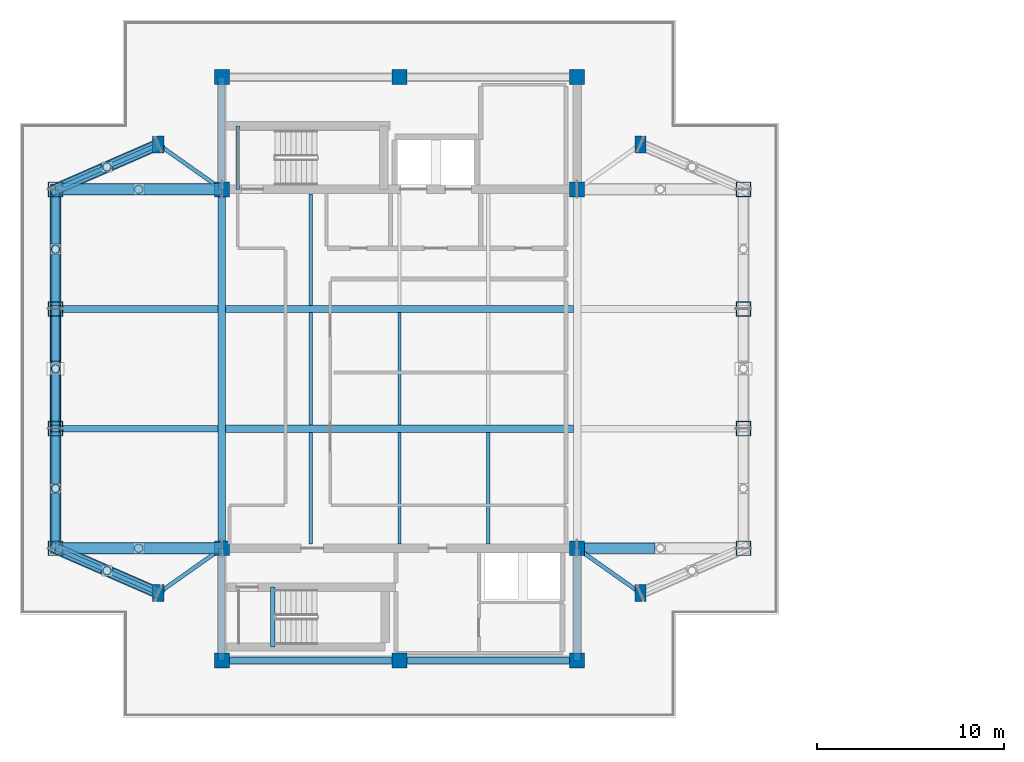
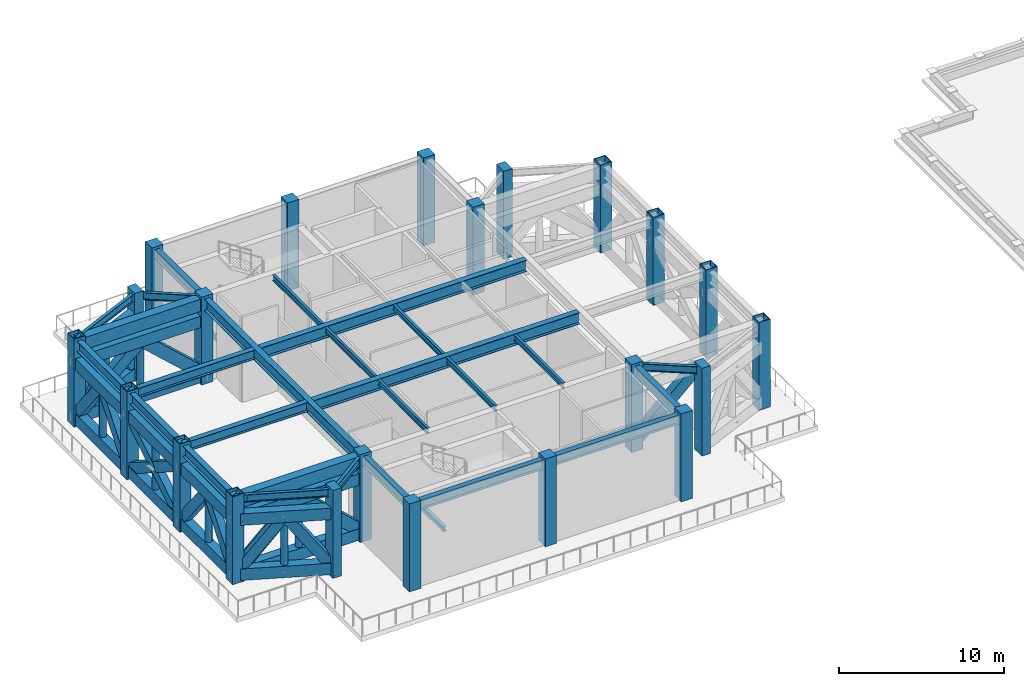
# One storey, part 1 of 11: 37 members, 28 beams, 22 columns.
"""IFC4 building model written with IfcOpenShell, lengths in metres."""

from ifc_helpers import new_model, si_unit, direction, frame, origin, origin_2d, place, context, subcontext, project, spatial, rectangle, hollow_rectangle, hollow_circle, i_section, extrude, material, material_profile, profile_set, type_object, element, save


model = new_model("IFC4")

# Units and contexts
model_context = context("Model", 3, precision=1e-05, world=origin(), true_north=direction((0.0, 1.0)))
body_context = subcontext(model_context, "Body", "Model", "MODEL_VIEW")
ifc_project = project(units=[si_unit("LENGTHUNIT", "METRE"), si_unit("AREAUNIT", "SQUARE_METRE"), si_unit("VOLUMEUNIT", "CUBIC_METRE"), si_unit("PLANEANGLEUNIT", "RADIAN"), si_unit("MASSUNIT", "GRAM", prefix="KILO")], contexts=[model_context])

# Site, building, storey
site_placement = place(None, origin())
site = spatial("IfcSite", under=ifc_project, at=site_placement, CompositionType="ELEMENT")
building_placement = place(site_placement, origin())
building = spatial("IfcBuilding", under=site, at=building_placement, Name="Mirazonda Arch Towers", CompositionType="ELEMENT")
storey_placement = place(building_placement, frame((0.0, 0.0, 212.89990234375)))
storey = spatial("IfcBuildingStorey", under=building, at=storey_placement, Name="L61", CompositionType="ELEMENT", Elevation=212.89990234375)

# Columns
ifc_material_1 = material(Name="Concrete C50/60", Category="concrete")
ifc_material_profile_1 = material_profile(ifc_material_1, rectangle(XDim=0.800048828125, YDim=0.800048828125, at=origin_2d()), Name="RC800x800")
ifc_profile_set_1 = profile_set([ifc_material_profile_1], Name="Concrete C50/60")
column_type_1 = type_object("IfcColumnType", Name="COL-INT-RC800x800", PredefinedType="COLUMN", material=ifc_profile_set_1)
for number, where, z_axis, x_axis, name in (
    (1, (11.0, 12.39990234375, 0.0), (0.0, 0.0, 1.0), (1.0, 0.0, 0.0), "L61 T1 Core Column 01"),
    (2, (20.5, 12.39990234375, 0.0), (0.0, 0.0, 1.0), (1.0, 0.0, 0.0), "L61 T1 Core Column 02"),
    (3, (30.0, 12.39990234375, 0.0), (0.0, 0.0, 1.0), (1.0, 0.0, 0.0), "L61 T1 Core Column 03"),
    (4, (11.0, 18.39990234375, 0.0), (0.0, 0.0, 1.0), (1.0, 0.0, 0.0), "L61 T1 Core Column 04"),
    (5, (30.0, 18.39990234375, 0.0), (0.0, 0.0, 1.0), (1.0, 0.0, 0.0), "L61 T1 Core Column 05"),
    (6, (11.0, 37.60009765625, 0.0), (0.0, 0.0, 1.0), (1.0, 0.0, 0.0), "L61 T1 Core Column 06"),
    (7, (30.0, 37.60009765625, 0.0), (0.0, 0.0, 1.0), (1.0, 0.0, 0.0), "L61 T1 Core Column 07"),
    (8, (11.0, 43.60009765625, 0.0), (0.0, 0.0, 1.0), (1.0, 0.0, 0.0), "L61 T1 Core Column 08"),
    (9, (20.5, 43.60009765625, 0.0), (0.0, 0.0, 1.0), (1.0, 0.0, 0.0), "L61 T1 Core Column 09"),
    (10, (30.0, 43.60009765625, 0.0), (0.0, 0.0, 1.0), (1.0, 0.0, 0.0), "L61 T1 Core Column 10"),
):
    element("IfcColumn", number, at=place(storey_placement, frame(where, z_axis=z_axis, x_axis=x_axis)), inside=storey, type_object=column_type_1, Name=name, PredefinedType="COLUMN", context=body_context, shape_type="SweptSolid", body=[
        extrude(rectangle(XDim=0.800048828125, YDim=0.800048828125, at=origin_2d()), origin(), (0.0, 0.0, 1.0), 6.5),
    ])
ifc_material_2 = material(Name="Steel ASTM A572 Grade 50", Category="steel")
ifc_material_profile_2 = material_profile(ifc_material_2, hollow_rectangle(XDim=0.800048828125, YDim=0.800048828125, WallThickness=0.044921875, at=origin_2d()), Name="BOX800x800x45")
ifc_profile_set_2 = profile_set([ifc_material_profile_2], Name="Steel ASTM A572 Grade 50")
column_type_2 = type_object("IfcColumnType", Name="MCOL-EXT-BOX800x800x45", PredefinedType="COLUMN", material=ifc_profile_set_2)
for number, where, z_axis, x_axis, name in (
    (11, (2.10009765625, 18.39990234375, 0.0), (0.0, 0.0, 1.0), (1.0, 0.0, 0.0), "L61 T1 Composite Mega-Column 01"),
    (12, (2.10009765625, 24.800048828125, 0.0), (0.0, 0.0, 1.0), (1.0, 0.0, 0.0), "L61 T1 Composite Mega-Column 02"),
    (13, (2.10009765625, 31.199951171875, 0.0), (0.0, 0.0, 1.0), (1.0, 0.0, 0.0), "L61 T1 Composite Mega-Column 03"),
    (14, (2.10009765625, 37.60009765625, 0.0), (0.0, 0.0, 1.0), (1.0, 0.0, 0.0), "L61 T1 Composite Mega-Column 04"),
    (15, (38.89990234375, 18.39990234375, 0.0), (0.0, 0.0, 1.0), (1.0, 0.0, 0.0), "L61 T1 Composite Mega-Column 05"),
    (16, (38.89990234375, 24.800048828125, 0.0), (0.0, 0.0, 1.0), (1.0, 0.0, 0.0), "L61 T1 Composite Mega-Column 06"),
    (17, (38.89990234375, 31.199951171875, 0.0), (0.0, 0.0, 1.0), (1.0, 0.0, 0.0), "L61 T1 Composite Mega-Column 07"),
    (18, (38.89990234375, 37.60009765625, 0.0), (0.0, 0.0, 1.0), (1.0, 0.0, 0.0), "L61 T1 Composite Mega-Column 08"),
):
    element("IfcColumn", number, at=place(storey_placement, frame(where, z_axis=z_axis, x_axis=x_axis)), inside=storey, type_object=column_type_2, Name=name, PredefinedType="COLUMN", context=body_context, shape_type="SweptSolid", body=[
        extrude(hollow_rectangle(XDim=0.800048828125, YDim=0.800048828125, WallThickness=0.044921875, at=origin_2d()), origin(), (0.0, 0.0, 1.0), 6.5),
    ])
ifc_material_profile_3 = material_profile(ifc_material_1, rectangle(XDim=0.60009765625, YDim=0.89990234375, at=origin_2d()), Name="RC900x600")
ifc_profile_set_3 = profile_set([ifc_material_profile_3], Name="Concrete C50/60")
column_type_3 = type_object("IfcColumnType", Name="PIL-EXT-RC900x600", PredefinedType="PILASTER", material=ifc_profile_set_3)
for number, where, z_axis, x_axis, name in (
    (19, (7.60009765625, 16.0, 0.0), (0.0, 0.0, 1.0), (1.0, 0.0, 0.0), "L61 T1 Corner Pilaster 01"),
    (20, (33.39990234375, 16.0, 0.0), (0.0, 0.0, 1.0), (1.0, 0.0, 0.0), "L61 T1 Corner Pilaster 02"),
    (21, (7.60009765625, 40.0, 0.0), (0.0, 0.0, 1.0), (1.0, 0.0, 0.0), "L61 T1 Corner Pilaster 03"),
    (22, (33.39990234375, 40.0, 0.0), (0.0, 0.0, 1.0), (1.0, 0.0, 0.0), "L61 T1 Corner Pilaster 04"),
):
    element("IfcColumn", number, at=place(storey_placement, frame(where, z_axis=z_axis, x_axis=x_axis)), inside=storey, type_object=column_type_3, Name=name, PredefinedType="PILASTER", context=body_context, shape_type="SweptSolid", body=[
        extrude(rectangle(XDim=0.60009765625, YDim=0.89990234375, at=origin_2d()), origin(), (0.0, 0.0, 1.0), 6.5),
    ])

# Beams
ifc_material_3 = material(Name="Steel ASTM A992 Grade 50", Category="steel")
ifc_material_profile_4 = material_profile(ifc_material_3, i_section(OverallWidth=0.381103515625, OverallDepth=0.77294921875, WebThickness=0.0166015625, FlangeThickness=0.027099609375, at=origin_2d()), Name="W30X173")
ifc_profile_set_4 = profile_set([ifc_material_profile_4], Name="Steel ASTM A992 Grade 50")
beam_type_1 = type_object("IfcBeamType", Name="BM-EXT-W30X173", PredefinedType="USERDEFINED", material=ifc_profile_set_4)
beam_1_placement = place(storey_placement, frame((2.10009765625, 18.39990234375, 5.91357421875), z_axis=(0.0, 1.0, 0.0), x_axis=(-1.0, 0.0, 0.0)))
element("IfcBeam", 23, at=beam_1_placement, inside=storey, type_object=beam_type_1, Name="L61 Floor Beam BM-T1-L61-NS-W-18", ObjectType="GIRDER", PredefinedType="USERDEFINED", context=body_context, shape_type="SweptSolid", body=[
    extrude(i_section(OverallWidth=0.381103515625, OverallDepth=0.77294921875, WebThickness=0.0166015625, FlangeThickness=0.027099609375, at=origin_2d()), origin(), (0.0, 0.0, 1.0), 6.400146484375),
])
beam_2_placement = place(storey_placement, frame((2.10009765625, 24.800048828125, 5.91357421875), z_axis=(0.0, 1.0, 0.0), x_axis=(-1.0, 0.0, 0.0)))
element("IfcBeam", 24, at=beam_2_placement, inside=storey, type_object=beam_type_1, Name="L61 Floor Beam BM-T1-L61-NS-W-24", ObjectType="GIRDER", PredefinedType="USERDEFINED", context=body_context, shape_type="SweptSolid", body=[
    extrude(i_section(OverallWidth=0.381103515625, OverallDepth=0.77294921875, WebThickness=0.0166015625, FlangeThickness=0.027099609375, at=origin_2d()), origin(), (0.0, 0.0, 1.0), 6.39990234375),
])
beam_3_placement = place(storey_placement, frame((2.10009765625, 31.199951171875, 5.91357421875), z_axis=(0.0, 1.0, 0.0), x_axis=(-1.0, 0.0, 0.0)))
element("IfcBeam", 25, at=beam_3_placement, inside=storey, type_object=beam_type_1, Name="L61 Floor Beam BM-T1-L61-NS-W-31", ObjectType="GIRDER", PredefinedType="USERDEFINED", context=body_context, shape_type="SweptSolid", body=[
    extrude(i_section(OverallWidth=0.381103515625, OverallDepth=0.77294921875, WebThickness=0.0166015625, FlangeThickness=0.027099609375, at=origin_2d()), origin(), (0.0, 0.0, 1.0), 6.400146484375),
])
ifc_material_profile_5 = material_profile(ifc_material_3, i_section(OverallWidth=0.257080078125, OverallDepth=0.330078125, WebThickness=0.011962890625, FlangeThickness=0.01953125, at=origin_2d()), Name="W10X68")
ifc_profile_set_5 = profile_set([ifc_material_profile_5], Name="Steel ASTM A992 Grade 50")
beam_type_2 = type_object("IfcBeamType", Name="BM-INT-W10X68", PredefinedType="BEAM", material=ifc_profile_set_5)
beam_4_placement = place(storey_placement, frame((13.719970703125, 13.1201171875, 2.885009765625), z_axis=(0.0, 1.0, 0.0), x_axis=(-1.0, 0.0, 0.0)))
element("IfcBeam", 26, at=beam_4_placement, inside=storey, type_object=beam_type_2, Name="L61 ST-T1S Landing Trimmer Beam", PredefinedType="BEAM", context=body_context, shape_type="SweptSolid", body=[
    extrude(i_section(OverallWidth=0.257080078125, OverallDepth=0.330078125, WebThickness=0.011962890625, FlangeThickness=0.01953125, at=origin_2d()), origin(), (0.0, 0.0, 1.0), 3.199951171875),
])
ifc_material_profile_6 = material_profile(ifc_material_3, i_section(OverallWidth=0.180908203125, OverallDepth=0.4169921875, WebThickness=0.010986328125, FlangeThickness=0.018310546875, at=origin_2d()), Name="W16X57")
ifc_profile_set_6 = profile_set([ifc_material_profile_6], Name="Steel ASTM A992 Grade 50")
beam_type_3 = type_object("IfcBeamType", Name="BM-INT-W16X57", PredefinedType="JOIST", material=ifc_profile_set_6)
beam_5_placement = place(storey_placement, frame((11.85009765625, 37.60009765625, 2.841552734375), z_axis=(0.0, 1.0, 0.0), x_axis=(-1.0, 0.0, 0.0)))
element("IfcBeam", 27, at=beam_5_placement, inside=storey, type_object=beam_type_3, Name="L61 Floor Beam BM-T1-L61-STL2", PredefinedType="JOIST", context=body_context, shape_type="SweptSolid", body=[
    extrude(i_section(OverallWidth=0.180908203125, OverallDepth=0.4169921875, WebThickness=0.010986328125, FlangeThickness=0.018310546875, at=origin_2d()), origin(), (0.0, 0.0, 1.0), 3.392822265625),
])
for number, where, z_axis, x_axis, name in (
    (28, (15.75, 18.639892578125, 6.091552734375), (0.0, 1.0, 0.0), (-1.0, 0.0, 0.0), "L61 Floor Beam BM-T1-L61-J-157-18"),
    (29, (15.75, 31.39599609375, 6.091552734375), (0.0, 1.0, 0.0), (-1.0, 0.0, 0.0), "L61 Floor Beam BM-T1-L61-J-157-31"),
):
    element("IfcBeam", number, at=place(storey_placement, frame(where, z_axis=z_axis, x_axis=x_axis)), inside=storey, type_object=beam_type_3, Name=name, PredefinedType="JOIST", context=body_context, shape_type="SweptSolid", body=[
        extrude(i_section(OverallWidth=0.180908203125, OverallDepth=0.4169921875, WebThickness=0.010986328125, FlangeThickness=0.018310546875, at=origin_2d()), origin(), (0.0, 0.0, 1.0), 5.964111328125),
    ])
beam_6_placement = place(storey_placement, frame((15.75, 24.99609375, 6.091552734375), z_axis=(0.0, 1.0, 0.0), x_axis=(-1.0, 0.0, 0.0)))
element("IfcBeam", 30, at=beam_6_placement, inside=storey, type_object=beam_type_3, Name="L61 Floor Beam BM-T1-L61-J-157-24", PredefinedType="JOIST", context=body_context, shape_type="SweptSolid", body=[
    extrude(i_section(OverallWidth=0.180908203125, OverallDepth=0.4169921875, WebThickness=0.010986328125, FlangeThickness=0.018310546875, at=origin_2d()), origin(), (0.0, 0.0, 1.0), 6.0078125),
])
beam_7_placement = place(storey_placement, frame((20.5, 18.639892578125, 6.091552734375), z_axis=(0.0, 1.0, 0.0), x_axis=(-1.0, 0.0, 0.0)))
element("IfcBeam", 31, at=beam_7_placement, inside=storey, type_object=beam_type_3, Name="L61 Floor Beam BM-T1-L61-J-205-18", PredefinedType="JOIST", context=body_context, shape_type="SweptSolid", body=[
    extrude(i_section(OverallWidth=0.180908203125, OverallDepth=0.4169921875, WebThickness=0.010986328125, FlangeThickness=0.018310546875, at=origin_2d()), origin(), (0.0, 0.0, 1.0), 5.964111328125),
])
beam_8_placement = place(storey_placement, frame((20.5, 24.99609375, 6.091552734375), z_axis=(0.0, 1.0, 0.0), x_axis=(-1.0, 0.0, 0.0)))
element("IfcBeam", 32, at=beam_8_placement, inside=storey, type_object=beam_type_3, Name="L61 Floor Beam BM-T1-L61-J-205-24", PredefinedType="JOIST", context=body_context, shape_type="SweptSolid", body=[
    extrude(i_section(OverallWidth=0.180908203125, OverallDepth=0.4169921875, WebThickness=0.010986328125, FlangeThickness=0.018310546875, at=origin_2d()), origin(), (0.0, 0.0, 1.0), 6.0078125),
])
beam_9_placement = place(storey_placement, frame((25.25, 18.639892578125, 6.091552734375), z_axis=(0.0, 1.0, 0.0), x_axis=(-1.0, 0.0, 0.0)))
element("IfcBeam", 33, at=beam_9_placement, inside=storey, type_object=beam_type_3, Name="L61 Floor Beam BM-T1-L61-J-252-18", PredefinedType="JOIST", context=body_context, shape_type="SweptSolid", body=[
    extrude(i_section(OverallWidth=0.180908203125, OverallDepth=0.4169921875, WebThickness=0.010986328125, FlangeThickness=0.018310546875, at=origin_2d()), origin(), (0.0, 0.0, 1.0), 5.964111328125),
])
ifc_material_profile_7 = material_profile(ifc_material_3, i_section(OverallWidth=0.214111328125, OverallDepth=0.549072265625, WebThickness=0.0146484375, FlangeThickness=0.023681640625, at=origin_2d()), Name="W21X93")
ifc_profile_set_7 = profile_set([ifc_material_profile_7], Name="Steel ASTM A992 Grade 50")
beam_type_4 = type_object("IfcBeamType", Name="BM-INT-W21X93", PredefinedType="BEAM", material=ifc_profile_set_7)
beam_10_placement = place(storey_placement, frame((7.60009765625, 16.0, 6.025634765625), z_axis=(0.816971114901, 0.576678591087, 0.0), x_axis=(-0.576678591087, 0.816971114901, 0.0)))
element("IfcBeam", 34, at=beam_10_placement, inside=storey, type_object=beam_type_4, Name="L61 Floor Beam BM-T1-L61-PL-SW1", PredefinedType="BEAM", context=body_context, shape_type="SweptSolid", body=[
    extrude(i_section(OverallWidth=0.214111328125, OverallDepth=0.549072265625, WebThickness=0.0146484375, FlangeThickness=0.023681640625, at=origin_2d()), origin(), (0.0, 0.0, 1.0), 4.16162109375),
])
beam_11_placement = place(storey_placement, frame((7.60009765625, 16.0, 6.025634765625), z_axis=(-0.916545343703, 0.399930785183, 0.0), x_axis=(-0.399930785183, -0.916545343703, 0.0)))
element("IfcBeam", 35, at=beam_11_placement, inside=storey, type_object=beam_type_4, Name="L61 Floor Beam BM-T1-L61-PL-SW2", PredefinedType="BEAM", context=body_context, shape_type="SweptSolid", body=[
    extrude(i_section(OverallWidth=0.214111328125, OverallDepth=0.549072265625, WebThickness=0.0146484375, FlangeThickness=0.023681640625, at=origin_2d()), origin(), (0.0, 0.0, 1.0), 6.000732421875),
])
for number, where, z_axis, x_axis, name in (
    (36, (33.39990234375, 16.0, 6.025634765625), (-0.816971114901, 0.576678591087, 0.0), (-0.576678591087, -0.816971114901, 0.0), "L61 Floor Beam BM-T1-L61-PL-SE1"),
    (37, (7.60009765625, 40.0, 6.025634765625), (0.816971114901, -0.576678591087, 0.0), (0.576678591087, 0.816971114901, 0.0), "L61 Floor Beam BM-T1-L61-PL-NW1"),
):
    element("IfcBeam", number, at=place(storey_placement, frame(where, z_axis=z_axis, x_axis=x_axis)), inside=storey, type_object=beam_type_4, Name=name, PredefinedType="BEAM", context=body_context, shape_type="SweptSolid", body=[
        extrude(i_section(OverallWidth=0.214111328125, OverallDepth=0.549072265625, WebThickness=0.0146484375, FlangeThickness=0.023681640625, at=origin_2d()), origin(), (0.0, 0.0, 1.0), 4.16162109375),
    ])
beam_12_placement = place(storey_placement, frame((7.60009765625, 40.0, 6.025634765625), z_axis=(-0.916545343703, -0.399930785183, 0.0), x_axis=(0.399930785183, -0.916545343703, 0.0)))
element("IfcBeam", 38, at=beam_12_placement, inside=storey, type_object=beam_type_4, Name="L61 Floor Beam BM-T1-L61-PL-NW2", PredefinedType="BEAM", context=body_context, shape_type="SweptSolid", body=[
    extrude(i_section(OverallWidth=0.214111328125, OverallDepth=0.549072265625, WebThickness=0.0146484375, FlangeThickness=0.023681640625, at=origin_2d()), origin(), (0.0, 0.0, 1.0), 6.000732421875),
])
ifc_material_profile_8 = material_profile(ifc_material_3, i_section(OverallWidth=0.35498046875, OverallDepth=0.696044921875, WebThickness=0.015380859375, FlangeThickness=0.02490234375, at=origin_2d()), Name="W27X146")
ifc_profile_set_8 = profile_set([ifc_material_profile_8], Name="Steel ASTM A992 Grade 50")
beam_type_5 = type_object("IfcBeamType", Name="BM-INT-W27X146", PredefinedType="BEAM", material=ifc_profile_set_8)
for number, where, z_axis, x_axis, name in (
    (39, (2.10009765625, 24.800048828125, 5.9521484375), (1.0, 0.0, 0.0), (0.0, 1.0, 0.0), "L61 Floor Beam BM-T1-L61-GW2"),
    (40, (2.10009765625, 31.199951171875, 5.9521484375), (1.0, 0.0, 0.0), (0.0, 1.0, 0.0), "L61 Floor Beam BM-T1-L61-GW3"),
):
    element("IfcBeam", number, at=place(storey_placement, frame(where, z_axis=z_axis, x_axis=x_axis)), inside=storey, type_object=beam_type_5, Name=name, PredefinedType="BEAM", context=body_context, shape_type="SweptSolid", body=[
        extrude(i_section(OverallWidth=0.35498046875, OverallDepth=0.696044921875, WebThickness=0.015380859375, FlangeThickness=0.02490234375, at=origin_2d()), origin(), (0.0, 0.0, 1.0), 8.699951171875),
    ])
for number, where, z_axis, x_axis, name in (
    (41, (11.0, 12.39990234375, 5.9521484375), (1.0, 0.0, 0.0), (0.0, 1.0, 0.0), "L61 Floor Beam BM-T1-L61-CS1"),
    (42, (20.5, 12.39990234375, 5.9521484375), (1.0, 0.0, 0.0), (0.0, 1.0, 0.0), "L61 Floor Beam BM-T1-L61-CS2"),
):
    element("IfcBeam", number, at=place(storey_placement, frame(where, z_axis=z_axis, x_axis=x_axis)), inside=storey, type_object=beam_type_5, Name=name, PredefinedType="BEAM", context=body_context, shape_type="SweptSolid", body=[
        extrude(i_section(OverallWidth=0.35498046875, OverallDepth=0.696044921875, WebThickness=0.015380859375, FlangeThickness=0.02490234375, at=origin_2d()), origin(), (0.0, 0.0, 1.0), 9.5),
    ])
for number, where, z_axis, x_axis, name in (
    (43, (11.0, 12.39990234375, 5.9521484375), (0.0, 1.0, 0.0), (-1.0, 0.0, 0.0), "L61 Floor Beam BM-T1-L61-CSW"),
    (44, (30.0, 12.39990234375, 5.9521484375), (0.0, 1.0, 0.0), (-1.0, 0.0, 0.0), "L61 Floor Beam BM-T1-L61-CSE"),
    (45, (11.0, 37.60009765625, 5.9521484375), (0.0, 1.0, 0.0), (-1.0, 0.0, 0.0), "L61 Floor Beam BM-T1-L61-CNW"),
):
    element("IfcBeam", number, at=place(storey_placement, frame(where, z_axis=z_axis, x_axis=x_axis)), inside=storey, type_object=beam_type_5, Name=name, PredefinedType="BEAM", context=body_context, shape_type="SweptSolid", body=[
        extrude(i_section(OverallWidth=0.35498046875, OverallDepth=0.696044921875, WebThickness=0.015380859375, FlangeThickness=0.02490234375, at=origin_2d()), origin(), (0.0, 0.0, 1.0), 6.0),
    ])
ifc_material_profile_9 = material_profile(ifc_material_3, i_section(OverallWidth=0.39990234375, OverallDepth=0.85595703125, WebThickness=0.018310546875, FlangeThickness=0.029296875, at=origin_2d()), Name="W33X201")
ifc_profile_set_9 = profile_set([ifc_material_profile_9], Name="Steel ASTM A992 Grade 50")
beam_type_6 = type_object("IfcBeamType", Name="BM-INT-W33X201", PredefinedType="USERDEFINED", material=ifc_profile_set_9)
for number, where, z_axis, x_axis, name in (
    (46, (11.199951171875, 24.800048828125, 5.8720703125), (1.0, 0.0, 0.0), (0.0, 1.0, 0.0), "L61 Floor Beam BM-T1-L61-GC2"),
    (47, (11.199951171875, 31.199951171875, 5.8720703125), (1.0, 0.0, 0.0), (0.0, 1.0, 0.0), "L61 Floor Beam BM-T1-L61-GC3"),
):
    element("IfcBeam", number, at=place(storey_placement, frame(where, z_axis=z_axis, x_axis=x_axis)), inside=storey, type_object=beam_type_6, Name=name, ObjectType="GIRDER", PredefinedType="USERDEFINED", context=body_context, shape_type="SweptSolid", body=[
        extrude(i_section(OverallWidth=0.39990234375, OverallDepth=0.85595703125, WebThickness=0.018310546875, FlangeThickness=0.029296875, at=origin_2d()), origin(), (0.0, 0.0, 1.0), 18.60009765625),
    ])
beam_13_placement = place(storey_placement, frame((11.0, 18.39990234375, 5.8720703125), z_axis=(0.0, 1.0, 0.0), x_axis=(-1.0, 0.0, 0.0)))
element("IfcBeam", 48, at=beam_13_placement, inside=storey, type_object=beam_type_6, Name="L61 Floor Beam BM-T1-L61-NS-CW-FULL", ObjectType="GIRDER", PredefinedType="USERDEFINED", context=body_context, shape_type="SweptSolid", body=[
    extrude(i_section(OverallWidth=0.39990234375, OverallDepth=0.85595703125, WebThickness=0.018310546875, FlangeThickness=0.029296875, at=origin_2d()), origin(), (0.0, 0.0, 1.0), 19.2001953125),
])
ifc_material_profile_10 = material_profile(ifc_material_1, rectangle(XDim=0.60009765625, YDim=0.89990234375, at=origin_2d()), Name="RCCB600x900")
ifc_profile_set_10 = profile_set([ifc_material_profile_10], Name="Concrete C50/60")
beam_type_7 = type_object("IfcBeamType", Name="CB-INT-RCCB600x900", PredefinedType="SPANDREL", material=ifc_profile_set_10)
for number, where, z_axis, x_axis, name in (
    (49, (2.10009765625, 37.60009765625, 5.85009765625), (1.0, 0.0, 0.0), (0.0, 1.0, 0.0), "L61 Floor Beam CB-T1-L61-NW"),
    (50, (2.10009765625, 18.39990234375, 5.85009765625), (1.0, 0.0, 0.0), (0.0, 1.0, 0.0), "L61 Floor Beam CB-T1-L61-SW"),
):
    element("IfcBeam", number, at=place(storey_placement, frame(where, z_axis=z_axis, x_axis=x_axis)), inside=storey, type_object=beam_type_7, Name=name, PredefinedType="SPANDREL", context=body_context, shape_type="SweptSolid", body=[
        extrude(rectangle(XDim=0.60009765625, YDim=0.89990234375, at=origin_2d()), origin(), (0.0, 0.0, 1.0), 8.89990234375),
    ])

# Members
ifc_material_profile_11 = material_profile(ifc_material_2, hollow_rectangle(XDim=0.60009765625, YDim=0.85009765625, WallThickness=0.048095703125, at=origin_2d()), Name="BELTCHORD850x600x48")
ifc_profile_set_11 = profile_set([ifc_material_profile_11], Name="Steel ASTM A572 Grade 50")
member_type_1 = type_object("IfcMemberType", Name="MBR-EXT-BELTCHORD850x600x48", PredefinedType="CHORD", material=ifc_profile_set_11)
for number, where, z_axis, x_axis, name in (
    (51, (2.10009765625, 18.39990234375, 0.550048828125), (0.0, 1.0, 0.0), (-1.0, 0.0, 0.0), "L61 T1 Wind-Portal Belt Chord BC01"),
    (52, (2.10009765625, 18.39990234375, 4.6201171875), (0.0, 1.0, 0.0), (-1.0, 0.0, 0.0), "L61 T1 Wind-Portal Belt Chord TC01"),
):
    element("IfcMember", number, at=place(storey_placement, frame(where, z_axis=z_axis, x_axis=x_axis)), inside=storey, type_object=member_type_1, Name=name, PredefinedType="CHORD", context=body_context, shape_type="SweptSolid", body=[
        extrude(hollow_rectangle(XDim=0.60009765625, YDim=0.85009765625, WallThickness=0.048095703125, at=origin_2d()), origin(), (0.0, 0.0, 1.0), 6.400146484375),
    ])
for number, where, z_axis, x_axis, name in (
    (53, (2.10009765625, 24.800048828125, 0.550048828125), (0.0, 1.0, 0.0), (-1.0, 0.0, 0.0), "L61 T1 Wind-Portal Belt Chord BC02"),
    (54, (2.10009765625, 24.800048828125, 4.6201171875), (0.0, 1.0, 0.0), (-1.0, 0.0, 0.0), "L61 T1 Wind-Portal Belt Chord TC02"),
):
    element("IfcMember", number, at=place(storey_placement, frame(where, z_axis=z_axis, x_axis=x_axis)), inside=storey, type_object=member_type_1, Name=name, PredefinedType="CHORD", context=body_context, shape_type="SweptSolid", body=[
        extrude(hollow_rectangle(XDim=0.60009765625, YDim=0.85009765625, WallThickness=0.048095703125, at=origin_2d()), origin(), (0.0, 0.0, 1.0), 6.39990234375),
    ])
for number, where, z_axis, x_axis, name in (
    (55, (2.10009765625, 31.199951171875, 0.550048828125), (0.0, 1.0, 0.0), (-1.0, 0.0, 0.0), "L61 T1 Wind-Portal Belt Chord BC03"),
    (56, (2.10009765625, 31.199951171875, 4.6201171875), (0.0, 1.0, 0.0), (-1.0, 0.0, 0.0), "L61 T1 Wind-Portal Belt Chord TC03"),
):
    element("IfcMember", number, at=place(storey_placement, frame(where, z_axis=z_axis, x_axis=x_axis)), inside=storey, type_object=member_type_1, Name=name, PredefinedType="CHORD", context=body_context, shape_type="SweptSolid", body=[
        extrude(hollow_rectangle(XDim=0.60009765625, YDim=0.85009765625, WallThickness=0.048095703125, at=origin_2d()), origin(), (0.0, 0.0, 1.0), 6.400146484375),
    ])
for number, where, z_axis, x_axis, name in (
    (57, (2.10009765625, 18.39990234375, 0.550048828125), (0.916545343703, -0.399930785183, 0.0), (0.399930785183, 0.916545343703, 0.0), "L61 T1 Wind-Portal Belt Chord BC07"),
    (58, (2.10009765625, 18.39990234375, 4.6201171875), (0.916545343703, -0.399930785183, 0.0), (0.399930785183, 0.916545343703, 0.0), "L61 T1 Wind-Portal Belt Chord TC07"),
    (59, (2.10009765625, 37.60009765625, 0.550048828125), (0.916545343703, 0.399930785183, 0.0), (-0.399930785183, 0.916545343703, 0.0), "L61 T1 Wind-Portal Belt Chord BC09"),
    (60, (2.10009765625, 37.60009765625, 4.6201171875), (0.916545343703, 0.399930785183, 0.0), (-0.399930785183, 0.916545343703, 0.0), "L61 T1 Wind-Portal Belt Chord TC09"),
):
    element("IfcMember", number, at=place(storey_placement, frame(where, z_axis=z_axis, x_axis=x_axis)), inside=storey, type_object=member_type_1, Name=name, PredefinedType="CHORD", context=body_context, shape_type="SweptSolid", body=[
        extrude(hollow_rectangle(XDim=0.60009765625, YDim=0.85009765625, WallThickness=0.048095703125, at=origin_2d()), origin(), (0.0, 0.0, 1.0), 6.000732421875),
    ])
ifc_material_profile_12 = material_profile(ifc_material_2, hollow_rectangle(XDim=0.5, YDim=0.699951171875, WallThickness=0.0400390625, at=origin_2d()), Name="BELTDIAG700x500x40")
ifc_profile_set_12 = profile_set([ifc_material_profile_12], Name="Steel ASTM A572 Grade 50")
member_type_2 = type_object("IfcMemberType", Name="MBR-EXT-BELTDIAG700x500x40", PredefinedType="BRACE", material=ifc_profile_set_12)
for number, where, z_axis, x_axis, name in (
    (61, (2.10009765625, 18.39990234375, 0.550048828125), (0.0, 0.618094323558, 0.786103941718), (-1.0, 0.0, 0.0), "L61 T1 Wind-Portal Belt Diagonal 01A"),
    (62, (2.10009765625, 24.800048828125, 0.550048828125), (0.0, -0.618065183041, 0.786126853321), (1.0, 0.0, 0.0), "L61 T1 Wind-Portal Belt Diagonal 01B"),
):
    element("IfcMember", number, at=place(storey_placement, frame(where, z_axis=z_axis, x_axis=x_axis)), inside=storey, type_object=member_type_2, Name=name, PredefinedType="BRACE", context=body_context, shape_type="SweptSolid", body=[
        extrude(hollow_rectangle(XDim=0.5, YDim=0.699951171875, WallThickness=0.0400390625, at=origin_2d()), origin(), (0.0, 0.0, 1.0), 5.177490234375),
    ])
member_placement = place(storey_placement, frame((2.10009765625, 24.800048828125, 0.550048828125), z_axis=(0.0, 0.843816530366, 0.536631776064), x_axis=(-1.0, 0.0, 0.0)))
element("IfcMember", 63, at=member_placement, inside=storey, type_object=member_type_2, Name="L61 T1 Continuous X-Brace Diagonal 02", PredefinedType="BRACE", context=body_context, shape_type="SweptSolid", body=[
    extrude(hollow_rectangle(XDim=0.5, YDim=0.699951171875, WallThickness=0.0400390625, at=origin_2d()), origin(), (0.0, 0.0, 1.0), 7.58447265625),
])
for number, where, z_axis, x_axis, name in (
    (64, (2.10009765625, 31.199951171875, 0.550048828125), (0.0, -0.843813155026, 0.536637083516), (1.0, 0.0, 0.0), "L61 T1 Split X-Brace Lower Segment 02"),
    (65, (2.10009765625, 27.763671875, 2.7353515625), (0.0, -0.843813155026, 0.536637083516), (1.0, 0.0, 0.0), "L61 T1 Split X-Brace Upper Segment 02"),
):
    element("IfcMember", number, at=place(storey_placement, frame(where, z_axis=z_axis, x_axis=x_axis)), inside=storey, type_object=member_type_2, Name=name, PredefinedType="BRACE", context=body_context, shape_type="SweptSolid", body=[
        extrude(hollow_rectangle(XDim=0.5, YDim=0.699951171875, WallThickness=0.0400390625, at=origin_2d()), origin(), (0.0, 0.0, 1.0), 3.51220703125),
    ])
for number, where, z_axis, x_axis, name in (
    (66, (2.10009765625, 31.199951171875, 0.550048828125), (0.0, 0.618065183041, 0.786126853321), (-1.0, 0.0, 0.0), "L61 T1 Wind-Portal Belt Diagonal 03A"),
    (67, (2.10009765625, 37.60009765625, 0.550048828125), (0.0, -0.618094323558, 0.786103941718), (1.0, 0.0, 0.0), "L61 T1 Wind-Portal Belt Diagonal 03B"),
):
    element("IfcMember", number, at=place(storey_placement, frame(where, z_axis=z_axis, x_axis=x_axis)), inside=storey, type_object=member_type_2, Name=name, PredefinedType="BRACE", context=body_context, shape_type="SweptSolid", body=[
        extrude(hollow_rectangle(XDim=0.5, YDim=0.699951171875, WallThickness=0.0400390625, at=origin_2d()), origin(), (0.0, 0.0, 1.0), 5.177490234375),
    ])
for number, where, z_axis, x_axis, name in (
    (68, (2.10009765625, 18.39990234375, 0.550048828125), (0.543858198941, -0.237310284783, 0.804923653635), (0.399930785183, 0.916545343703, 0.0), "L61 T1 Wind-Portal Belt Diagonal 07A"),
    (69, (7.60009765625, 16.0, 0.550048828125), (-0.543858198941, 0.237310284783, 0.804923653635), (-0.399930785183, -0.916545343703, 0.0), "L61 T1 Wind-Portal Belt Diagonal 07B"),
    (70, (2.10009765625, 37.60009765625, 0.550048828125), (0.543858198941, 0.237310284783, 0.804923653635), (-0.399930785183, 0.916545343703, 0.0), "L61 T1 Wind-Portal Belt Diagonal 09A"),
    (71, (7.60009765625, 40.0, 0.550048828125), (-0.543858198941, -0.237310284783, 0.804923653635), (0.399930785183, -0.916545343703, 0.0), "L61 T1 Wind-Portal Belt Diagonal 09B"),
):
    element("IfcMember", number, at=place(storey_placement, frame(where, z_axis=z_axis, x_axis=x_axis)), inside=storey, type_object=member_type_2, Name=name, PredefinedType="BRACE", context=body_context, shape_type="SweptSolid", body=[
        extrude(hollow_rectangle(XDim=0.5, YDim=0.699951171875, WallThickness=0.0400390625, at=origin_2d()), origin(), (0.0, 0.0, 1.0), 5.056396484375),
    ])
ifc_material_profile_13 = material_profile(ifc_material_2, hollow_circle(Radius=0.228515625, WallThickness=0.02197265625, at=origin_2d()), Name="BELTSTRUT457x22CHS")
ifc_profile_set_13 = profile_set([ifc_material_profile_13], Name="Steel ASTM A572 Grade 50")
member_type_3 = type_object("IfcMemberType", Name="MBR-EXT-BELTSTRUT457x22CHS", PredefinedType="STRUT", material=ifc_profile_set_13)
for number, where, z_axis, x_axis, name in (
    (72, (2.10009765625, 21.60009765625, 0.550048828125), (0.0, 0.0, 1.0), (1.0, 0.0, 0.0), "L61 T1 Wind-Portal Belt Strut 01"),
    (73, (2.10009765625, 28.0, 0.550048828125), (0.0, 0.0, 1.0), (1.0, 0.0, 0.0), "L61 T1 Wind-Portal Belt Strut 02"),
    (74, (2.10009765625, 34.39990234375, 0.550048828125), (0.0, 0.0, 1.0), (1.0, 0.0, 0.0), "L61 T1 Wind-Portal Belt Strut 03"),
    (75, (4.85009765625, 17.199951171875, 0.550048828125), (0.0, 0.0, 1.0), (1.0, 0.0, 0.0), "L61 T1 Wind-Portal Belt Strut 07"),
    (76, (4.85009765625, 38.800048828125, 0.550048828125), (0.0, 0.0, 1.0), (1.0, 0.0, 0.0), "L61 T1 Wind-Portal Belt Strut 09"),
):
    element("IfcMember", number, at=place(storey_placement, frame(where, z_axis=z_axis, x_axis=x_axis)), inside=storey, type_object=member_type_3, Name=name, PredefinedType="STRUT", context=body_context, shape_type="SweptSolid", body=[
        extrude(hollow_circle(Radius=0.228515625, WallThickness=0.02197265625, at=origin_2d()), origin(), (0.0, 0.0, 1.0), 4.070068359375),
    ])
ifc_material_profile_14 = material_profile(ifc_material_2, hollow_rectangle(XDim=0.60009765625, YDim=0.85009765625, WallThickness=0.048095703125, at=origin_2d()), Name="BELTCHORD850x600x48")
ifc_profile_set_14 = profile_set([ifc_material_profile_14], Name="Steel ASTM A572 Grade 50")
member_type_4 = type_object("IfcMemberType", Name="MBR-INT-BELTCHORD850x600x48", PredefinedType="CHORD", material=ifc_profile_set_14)
for number, where, z_axis, x_axis, name in (
    (77, (2.10009765625, 18.39990234375, 0.550048828125), (1.0, 0.0, 0.0), (0.0, 1.0, 0.0), "L61 T1 Core Outrigger Chord BC01"),
    (78, (2.10009765625, 18.39990234375, 4.6201171875), (1.0, 0.0, 0.0), (0.0, 1.0, 0.0), "L61 T1 Core Outrigger Chord TC01"),
    (79, (2.10009765625, 37.60009765625, 0.550048828125), (1.0, 0.0, 0.0), (0.0, 1.0, 0.0), "L61 T1 Core Outrigger Chord BC03"),
    (80, (2.10009765625, 37.60009765625, 4.6201171875), (1.0, 0.0, 0.0), (0.0, 1.0, 0.0), "L61 T1 Core Outrigger Chord TC03"),
):
    element("IfcMember", number, at=place(storey_placement, frame(where, z_axis=z_axis, x_axis=x_axis)), inside=storey, type_object=member_type_4, Name=name, PredefinedType="CHORD", context=body_context, shape_type="SweptSolid", body=[
        extrude(hollow_rectangle(XDim=0.60009765625, YDim=0.85009765625, WallThickness=0.048095703125, at=origin_2d()), origin(), (0.0, 0.0, 1.0), 8.89990234375),
    ])
ifc_material_profile_15 = material_profile(ifc_material_2, hollow_circle(Radius=0.228515625, WallThickness=0.02197265625, at=origin_2d()), Name="BELTSTRUT457x22CHS")
ifc_profile_set_15 = profile_set([ifc_material_profile_15], Name="Steel ASTM A572 Grade 50")
member_type_5 = type_object("IfcMemberType", Name="MBR-INT-BELTSTRUT457x22CHS", PredefinedType="STRUT", material=ifc_profile_set_15)
for number, where, z_axis, x_axis, name in (
    (81, (6.550048828125, 18.39990234375, 0.550048828125), (0.0, 0.0, 1.0), (1.0, 0.0, 0.0), "L61 T1 Core Outrigger Strut 01"),
    (82, (6.550048828125, 37.60009765625, 0.550048828125), (0.0, 0.0, 1.0), (1.0, 0.0, 0.0), "L61 T1 Core Outrigger Strut 03"),
):
    element("IfcMember", number, at=place(storey_placement, frame(where, z_axis=z_axis, x_axis=x_axis)), inside=storey, type_object=member_type_5, Name=name, PredefinedType="STRUT", context=body_context, shape_type="SweptSolid", body=[
        extrude(hollow_circle(Radius=0.228515625, WallThickness=0.02197265625, at=origin_2d()), origin(), (0.0, 0.0, 1.0), 4.070068359375),
    ])
ifc_material_profile_16 = material_profile(ifc_material_2, hollow_rectangle(XDim=0.550048828125, YDim=0.800048828125, WallThickness=0.044921875, at=origin_2d()), Name="OUTRIGGER800x550x45")
ifc_profile_set_16 = profile_set([ifc_material_profile_16], Name="Steel ASTM A572 Grade 50")
member_type_6 = type_object("IfcMemberType", Name="MBR-INT-OUTRIGGER800x550x45", PredefinedType="BRACE", material=ifc_profile_set_16)
for number, where, z_axis, x_axis, name in (
    (83, (2.10009765625, 18.39990234375, 0.550048828125), (0.737901496643, 0.0, 0.674908424345), (0.0, 1.0, 0.0), "L61 T1 Core Outrigger Diagonal 01A"),
    (84, (11.0, 18.39990234375, 0.550048828125), (-0.737901496643, 0.0, 0.674908424345), (0.0, -1.0, 0.0), "L61 T1 Core Outrigger Diagonal 01B"),
    (85, (30.0, 18.39990234375, 0.550048828125), (0.737901496643, 0.0, 0.674908424345), (0.0, 1.0, 0.0), "L61 T1 Core Outrigger Diagonal 02A"),
    (86, (2.10009765625, 37.60009765625, 0.550048828125), (0.737901496643, 0.0, 0.674908424345), (0.0, 1.0, 0.0), "L61 T1 Core Outrigger Diagonal 03A"),
    (87, (11.0, 37.60009765625, 0.550048828125), (-0.737901496643, 0.0, 0.674908424345), (0.0, -1.0, 0.0), "L61 T1 Core Outrigger Diagonal 03B"),
):
    element("IfcMember", number, at=place(storey_placement, frame(where, z_axis=z_axis, x_axis=x_axis)), inside=storey, type_object=member_type_6, Name=name, PredefinedType="BRACE", context=body_context, shape_type="SweptSolid", body=[
        extrude(hollow_rectangle(XDim=0.550048828125, YDim=0.800048828125, WallThickness=0.044921875, at=origin_2d()), origin(), (0.0, 0.0, 1.0), 6.030517578125),
    ])

save(model, "model.ifc")
